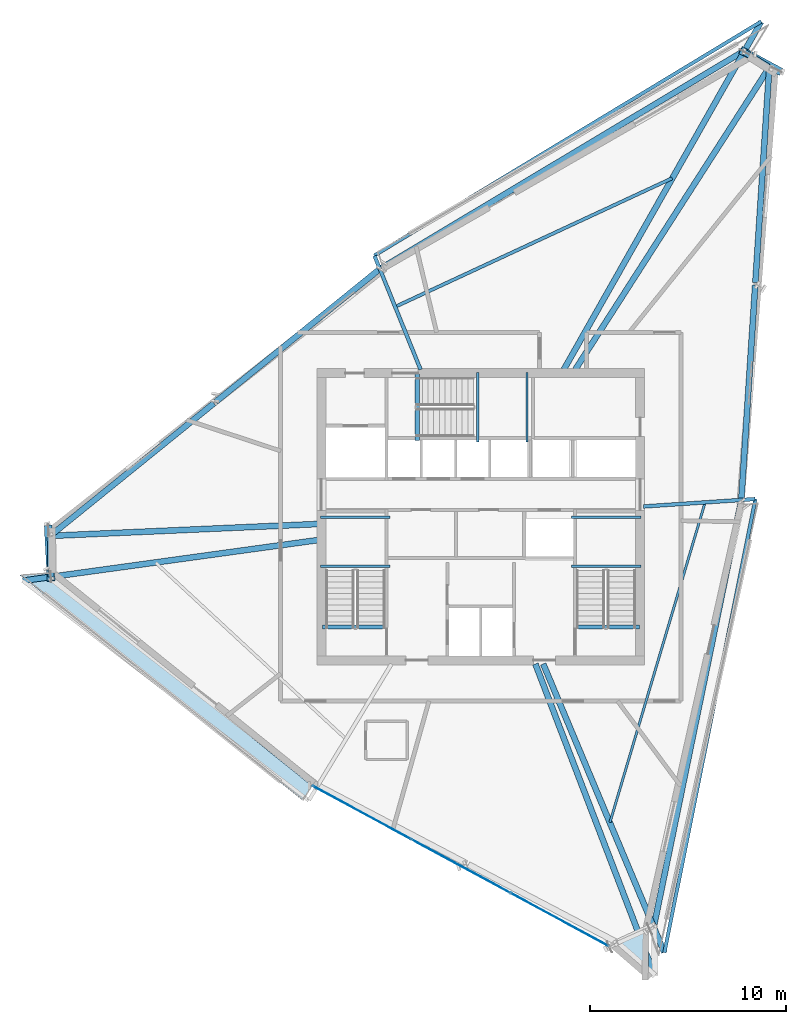
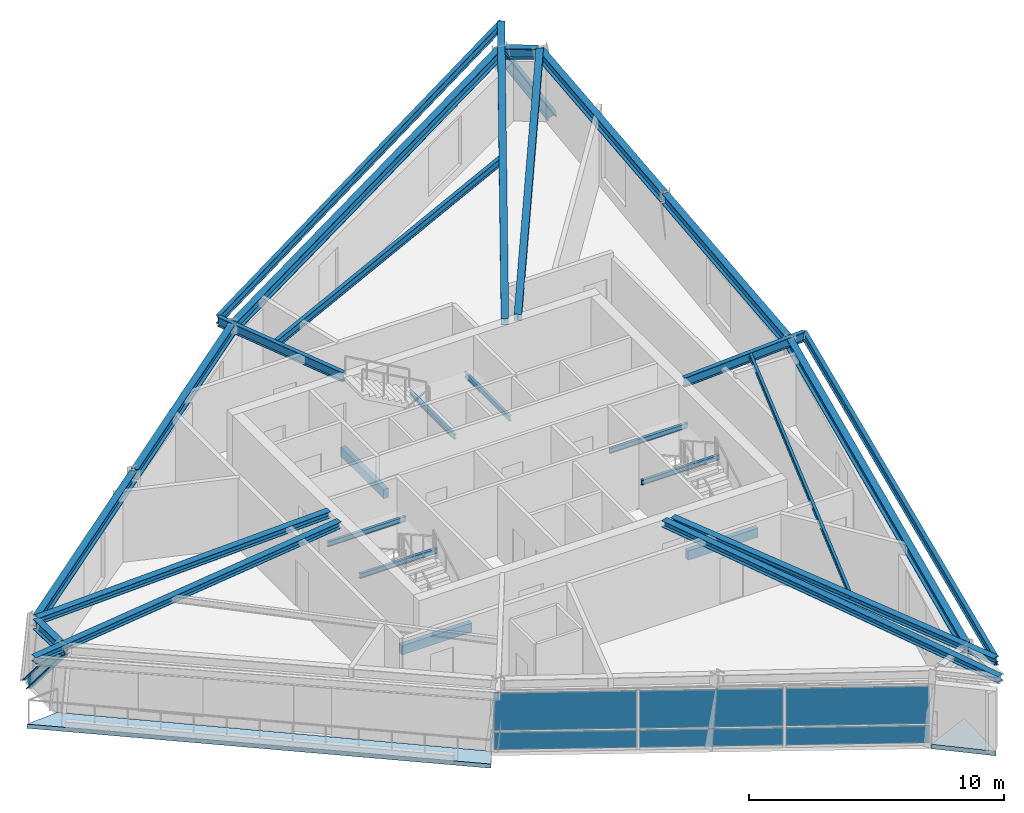
# One storey, part 6 of 15: 29 beams, 6 plates, 2 members, 2 slabs, 1 element without a shape of its own.
"""IFC4 building model written with IfcOpenShell, lengths in metres."""

from ifc_helpers import new_model, si_unit, direction, frame, origin, origin_2d, place, context, subcontext, project, spatial, polyline, rectangle, i_section, outline, extrude, source, transform, mapped, material, layer, layer_set, material_profile, profile_set, type_object, element, aggregate, save


model = new_model("IFC4")

# Units and contexts
model_context = context("Model", 3, precision=1e-05, world=origin(), true_north=direction((0.0, 1.0)))
body_context = subcontext(model_context, "Body", "Model", "MODEL_VIEW")
ifc_project = project(units=[si_unit("LENGTHUNIT", "METRE"), si_unit("AREAUNIT", "SQUARE_METRE"), si_unit("VOLUMEUNIT", "CUBIC_METRE"), si_unit("PLANEANGLEUNIT", "RADIAN"), si_unit("MASSUNIT", "GRAM", prefix="KILO")], contexts=[model_context])

# Site, building, storey
site_placement = place(None, origin())
site = spatial("IfcSite", under=ifc_project, at=site_placement, CompositionType="ELEMENT")
building_placement = place(site_placement, origin())
building = spatial("IfcBuilding", under=site, at=building_placement, Name="Olszyna Solenne Hotel", CompositionType="ELEMENT")
storey_placement = place(building_placement, frame((0.0, 0.0, 270.5)))
storey = spatial("IfcBuildingStorey", under=building, at=storey_placement, Name="L72", CompositionType="ELEMENT", Elevation=270.5)

# Beams
ifc_material_1 = material(Name="Steel S355J2", Category="steel")
ifc_material_profile_1 = material_profile(ifc_material_1, i_section(OverallWidth=0.300048828125, OverallDepth=0.5, WebThickness=0.014404296875, FlangeThickness=0.028076171875, at=origin_2d()), Name="HEB 500", Category="load-bearing")
ifc_profile_set_1 = profile_set([ifc_material_profile_1], Name="Steel S355J2")
beam_type_1 = type_object("IfcBeamType", Name="BM-S3", PredefinedType="BEAM", material=ifc_profile_set_1)
shared_shape_1 = source(origin(), body_context, "Body", "SweptSolid", [
    extrude(i_section(OverallWidth=0.300048828125, OverallDepth=0.5, WebThickness=0.014404296875, FlangeThickness=0.028076171875, at=origin_2d()), origin(), (0.0, 0.0, 1.0), 1.43896484375),
])
beam_1_placement = place(storey_placement, frame((52.659912109375, 49.544921875, 3.1298828125), z_axis=(-0.854060926803, 0.520172984024, 0.0), x_axis=(-0.520172984024, -0.854060926803, 0.0)))
element("IfcBeam", 1, at=beam_1_placement, inside=storey, type_object=beam_type_1, Name="Perimeter spandrel beam BM-S3 B-L72-2111", PredefinedType="BEAM", context=body_context, shape_type="MappedRepresentation", body=[
    mapped(shared_shape_1, transform((0.0, 0.0, 0.0), x_axis=(1.0, 0.0, 0.0), y_axis=(0.0, 1.0, 0.0), z_axis=(0.0, 0.0, 1.0), scale=1.0)),
])
shared_shape_2 = source(origin(), body_context, "Body", "SweptSolid", [
    extrude(i_section(OverallWidth=0.300048828125, OverallDepth=0.5, WebThickness=0.014404296875, FlangeThickness=0.028076171875, at=origin_2d()), origin(), (0.0, 0.0, 1.0), 21.490478515625),
])
beam_2_placement = place(storey_placement, frame((51.328125, 50.293701171875, 3.1298828125), z_axis=(-0.857946672507, -0.513738753779, 0.0), x_axis=(0.513738753779, -0.857946672507, 0.0)))
element("IfcBeam", 2, at=beam_2_placement, inside=storey, type_object=beam_type_1, Name="Perimeter spandrel beam BM-S3 B-L72-2112", PredefinedType="BEAM", context=body_context, shape_type="MappedRepresentation", body=[
    mapped(shared_shape_2, transform((0.0, 0.0, 0.0), x_axis=(1.0, 0.0, 0.0), y_axis=(0.0, 1.0, 0.0), z_axis=(0.0, 0.0, 1.0), scale=1.0)),
])
shared_shape_3 = source(origin(), body_context, "Body", "SweptSolid", [
    extrude(i_section(OverallWidth=0.300048828125, OverallDepth=0.5, WebThickness=0.014404296875, FlangeThickness=0.028076171875, at=origin_2d()), origin(), (0.0, 0.0, 1.0), 10.68505859375),
])
beam_3_placement = place(storey_placement, frame((32.792236328125, 39.1845703125, 3.1298828125), z_axis=(-0.777219861771, -0.629229120805, 0.0), x_axis=(0.629229120805, -0.777219861771, 0.0)))
element("IfcBeam", 3, at=beam_3_placement, inside=storey, type_object=beam_type_1, Name="Perimeter spandrel beam BM-S3 B-L72-2113", PredefinedType="BEAM", context=body_context, shape_type="MappedRepresentation", body=[
    mapped(shared_shape_3, transform((0.0, 0.0, 0.0), x_axis=(1.0, 0.0, 0.0), y_axis=(0.0, 1.0, 0.0), z_axis=(0.0, 0.0, 1.0), scale=1.0)),
])
shared_shape_4 = source(origin(), body_context, "Body", "SweptSolid", [
    extrude(i_section(OverallWidth=0.300048828125, OverallDepth=0.5, WebThickness=0.014404296875, FlangeThickness=0.028076171875, at=origin_2d()), origin(), (0.0, 0.0, 1.0), 10.685302734375),
])
beam_4_placement = place(storey_placement, frame((24.394287109375, 32.385498046875, 3.1298828125), z_axis=(-0.777228907982, -0.629217946818, 0.0), x_axis=(0.629217946818, -0.777228907982, 0.0)))
element("IfcBeam", 4, at=beam_4_placement, inside=storey, type_object=beam_type_1, Name="Perimeter spandrel beam BM-S3 B-L72-2114", PredefinedType="BEAM", context=body_context, shape_type="MappedRepresentation", body=[
    mapped(shared_shape_4, transform((0.0, 0.0, 0.0), x_axis=(1.0, 0.0, 0.0), y_axis=(0.0, 1.0, 0.0), z_axis=(0.0, 0.0, 1.0), scale=1.0)),
])
shared_shape_5 = source(origin(), body_context, "Body", "SweptSolid", [
    extrude(i_section(OverallWidth=0.300048828125, OverallDepth=0.5, WebThickness=0.014404296875, FlangeThickness=0.028076171875, at=origin_2d()), origin(), (0.0, 0.0, 1.0), 2.040771484375),
])
beam_5_placement = place(storey_placement, frame((16.0439453125, 25.564208984375, 3.1298828125), z_axis=(0.019261712413, -0.999814476008, 0.0), x_axis=(0.999814476008, 0.019261712413, 0.0)))
element("IfcBeam", 5, at=beam_5_placement, inside=storey, type_object=beam_type_1, Name="Perimeter spandrel beam BM-S3 B-L72-2115", PredefinedType="BEAM", context=body_context, shape_type="MappedRepresentation", body=[
    mapped(shared_shape_5, transform((0.0, 0.0, 0.0), x_axis=(1.0, 0.0, 0.0), y_axis=(0.0, 1.0, 0.0), z_axis=(0.0, 0.0, 1.0), scale=1.0)),
])
shared_shape_6 = source(origin(), body_context, "Body", "SweptSolid", [
    extrude(i_section(OverallWidth=0.300048828125, OverallDepth=0.5, WebThickness=0.014404296875, FlangeThickness=0.028076171875, at=origin_2d()), origin(), (0.0, 0.0, 1.0), 21.9990234375),
])
beam_6_placement = place(storey_placement, frame((46.847900390625, 5.832275390625, 3.1298828125), z_axis=(0.201037259591, 0.979583595338, 0.0), x_axis=(-0.979583595338, 0.201037259591, 0.0)))
element("IfcBeam", 6, at=beam_6_placement, inside=storey, type_object=beam_type_1, Name="Perimeter spandrel beam BM-S3 B-L72-2120", PredefinedType="BEAM", context=body_context, shape_type="MappedRepresentation", body=[
    mapped(shared_shape_6, transform((0.0, 0.0, 0.0), x_axis=(1.0, 0.0, 0.0), y_axis=(0.0, 1.0, 0.0), z_axis=(0.0, 0.0, 1.0), scale=1.0)),
])
shared_shape_7 = source(origin(), body_context, "Body", "SweptSolid", [
    extrude(i_section(OverallWidth=0.300048828125, OverallDepth=0.5, WebThickness=0.014404296875, FlangeThickness=0.028076171875, at=origin_2d()), origin(), (0.0, 0.0, 1.0), 10.939453125),
])
for number, where, z_axis, x_axis, name in (
    (7, (51.286376953125, 27.500732421875, 3.1298828125), (0.064587321629, 0.997912059194, 0.0), (-0.997912059194, 0.064587321629, 0.0), "Perimeter spandrel beam BM-S3 B-L72-2121"),
    (8, (52.000732421875, 38.537109375, 3.1298828125), (0.064587321629, 0.997912059194, 0.0), (-0.997912059194, 0.064587321629, 0.0), "Perimeter spandrel beam BM-S3 B-L72-2122"),
):
    element("IfcBeam", number, at=place(storey_placement, frame(where, z_axis=z_axis, x_axis=x_axis)), inside=storey, type_object=beam_type_1, Name=name, PredefinedType="BEAM", context=body_context, shape_type="MappedRepresentation", body=[
        mapped(shared_shape_7, transform((0.0, 0.0, 0.0), x_axis=(1.0, 0.0, 0.0), y_axis=(0.0, 1.0, 0.0), z_axis=(0.0, 0.0, 1.0), scale=1.0)),
    ])
ifc_material_profile_2 = material_profile(ifc_material_1, i_section(OverallWidth=0.300048828125, OverallDepth=0.31005859375, WebThickness=0.009033203125, FlangeThickness=0.015380859375, at=origin_2d()), Name="HEA 320", Category="load-bearing")
ifc_profile_set_2 = profile_set([ifc_material_profile_2], Name="Steel S355J2")
beam_type_2 = type_object("IfcBeamType", Name="BM-G3", PredefinedType="BEAM", material=ifc_profile_set_2)
shared_shape_8 = source(origin(), body_context, "Body", "SweptSolid", [
    extrude(i_section(OverallWidth=0.300048828125, OverallDepth=0.31005859375, WebThickness=0.009033203125, FlangeThickness=0.015380859375, at=origin_2d()), origin(), (0.0, 0.0, 1.0), 18.24755859375),
])
beam_7_placement = place(storey_placement, frame((52.6787109375, 49.463134765625, 3.22509765625), z_axis=(-0.540260478494, -0.841497840388, 0.0), x_axis=(0.841497840388, -0.540260478494, 0.0)))
element("IfcBeam", 9, at=beam_7_placement, inside=storey, type_object=beam_type_2, Name="Radial floor girder BM-G3 B-L72-2123", PredefinedType="BEAM", context=body_context, shape_type="MappedRepresentation", body=[
    mapped(shared_shape_8, transform((0.0, 0.0, 0.0), x_axis=(1.0, 0.0, 0.0), y_axis=(0.0, 1.0, 0.0), z_axis=(0.0, 0.0, 1.0), scale=1.0)),
])
shared_shape_9 = source(origin(), body_context, "Body", "SweptSolid", [
    extrude(i_section(OverallWidth=0.300048828125, OverallDepth=0.31005859375, WebThickness=0.009033203125, FlangeThickness=0.015380859375, at=origin_2d()), origin(), (0.0, 0.0, 1.0), 20.379638671875),
])
beam_8_placement = place(storey_placement, frame((52.2890625, 51.83251953125, 3.22509765625), z_axis=(-0.49341694453, -0.869792917223, 0.0), x_axis=(0.869792917223, -0.49341694453, 0.0)))
element("IfcBeam", 10, at=beam_8_placement, inside=storey, type_object=beam_type_2, Name="Radial floor girder BM-G3 B-L72-2124", PredefinedType="BEAM", context=body_context, shape_type="MappedRepresentation", body=[
    mapped(shared_shape_9, transform((0.0, 0.0, 0.0), x_axis=(1.0, 0.0, 0.0), y_axis=(0.0, 1.0, 0.0), z_axis=(0.0, 0.0, 1.0), scale=1.0)),
])
ifc_material_profile_3 = material_profile(ifc_material_1, i_section(OverallWidth=0.18994140625, OverallDepth=0.449951171875, WebThickness=0.009521484375, FlangeThickness=0.0146484375, at=origin_2d()), Name="IPE 450", Category="load-bearing")
ifc_profile_set_3 = profile_set([ifc_material_profile_3], Name="Steel S355J2")
beam_type_3 = type_object("IfcBeamType", Name="BM-F4", PredefinedType="BEAM", material=ifc_profile_set_3)
shared_shape_10 = source(origin(), body_context, "Body", "SweptSolid", [
    extrude(i_section(OverallWidth=0.18994140625, OverallDepth=0.449951171875, WebThickness=0.009521484375, FlangeThickness=0.0146484375, at=origin_2d()), origin(), (0.0, 0.0, 1.0), 6.256591796875),
])
beam_9_placement = place(storey_placement, frame((32.5830078125, 39.902587890625, 3.155029296875), z_axis=(0.37543064081, -0.926850491687, 0.0), x_axis=(0.926850491687, 0.37543064081, 0.0)))
element("IfcBeam", 11, at=beam_9_placement, inside=storey, type_object=beam_type_3, Name="Radial floor girder BM-F4 B-L72-2125", PredefinedType="BEAM", context=body_context, shape_type="MappedRepresentation", body=[
    mapped(shared_shape_10, transform((0.0, 0.0, 0.0), x_axis=(1.0, 0.0, 0.0), y_axis=(0.0, 1.0, 0.0), z_axis=(0.0, 0.0, 1.0), scale=1.0)),
])
shared_shape_11 = source(origin(), body_context, "Body", "SweptSolid", [
    extrude(i_section(OverallWidth=0.300048828125, OverallDepth=0.31005859375, WebThickness=0.009033203125, FlangeThickness=0.015380859375, at=origin_2d()), origin(), (0.0, 0.0, 1.0), 13.610595703125),
])
beam_10_placement = place(storey_placement, frame((16.102783203125, 25.626953125, 3.22509765625), z_axis=(0.999014036308, 0.044395441876, 0.0), x_axis=(-0.044395441876, 0.999014036308, 0.0)))
element("IfcBeam", 12, at=beam_10_placement, inside=storey, type_object=beam_type_2, Name="Radial floor girder BM-G3 B-L72-2126", PredefinedType="BEAM", context=body_context, shape_type="MappedRepresentation", body=[
    mapped(shared_shape_11, transform((0.0, 0.0, 0.0), x_axis=(1.0, 0.0, 0.0), y_axis=(0.0, 1.0, 0.0), z_axis=(0.0, 0.0, 1.0), scale=1.0)),
])
shared_shape_12 = source(origin(), body_context, "Body", "SweptSolid", [
    extrude(i_section(OverallWidth=0.300048828125, OverallDepth=0.31005859375, WebThickness=0.009033203125, FlangeThickness=0.015380859375, at=origin_2d()), origin(), (0.0, 0.0, 1.0), 15.18359375),
])
beam_11_placement = place(storey_placement, frame((14.658203125, 23.33837890625, 3.22509765625), z_axis=(0.99062938285, 0.13657754513, 0.0), x_axis=(-0.13657754513, 0.99062938285, 0.0)))
element("IfcBeam", 13, at=beam_11_placement, inside=storey, type_object=beam_type_2, Name="Radial floor girder BM-G3 B-L72-2127", PredefinedType="BEAM", context=body_context, shape_type="MappedRepresentation", body=[
    mapped(shared_shape_12, transform((0.0, 0.0, 0.0), x_axis=(1.0, 0.0, 0.0), y_axis=(0.0, 1.0, 0.0), z_axis=(0.0, 0.0, 1.0), scale=1.0)),
])
shared_shape_13 = source(origin(), body_context, "Body", "SweptSolid", [
    extrude(i_section(OverallWidth=0.300048828125, OverallDepth=0.31005859375, WebThickness=0.009033203125, FlangeThickness=0.015380859375, at=origin_2d()), origin(), (0.0, 0.0, 1.0), 17.000732421875),
])
beam_12_placement = place(storey_placement, frame((46.869384765625, 3.222412109375, 3.22509765625), z_axis=(-0.357922238825, 0.933751396762, 0.0), x_axis=(-0.933751396762, -0.357922238825, 0.0)))
element("IfcBeam", 14, at=beam_12_placement, inside=storey, type_object=beam_type_2, Name="Radial floor girder BM-G3 B-L72-2129", PredefinedType="BEAM", context=body_context, shape_type="MappedRepresentation", body=[
    mapped(shared_shape_13, transform((0.0, 0.0, 0.0), x_axis=(1.0, 0.0, 0.0), y_axis=(0.0, 1.0, 0.0), z_axis=(0.0, 0.0, 1.0), scale=1.0)),
])
shared_shape_14 = source(origin(), body_context, "Body", "SweptSolid", [
    extrude(i_section(OverallWidth=0.300048828125, OverallDepth=0.31005859375, WebThickness=0.009033203125, FlangeThickness=0.015380859375, at=origin_2d()), origin(), (0.0, 0.0, 1.0), 15.944091796875),
])
beam_13_placement = place(storey_placement, frame((47.354736328125, 4.39453125, 3.22509765625), z_axis=(-0.387048427339, 0.922059387943, 0.0), x_axis=(-0.922059387943, -0.387048427339, 0.0)))
element("IfcBeam", 15, at=beam_13_placement, inside=storey, type_object=beam_type_2, Name="Radial floor girder BM-G3 B-L72-2130", PredefinedType="BEAM", context=body_context, shape_type="MappedRepresentation", body=[
    mapped(shared_shape_14, transform((0.0, 0.0, 0.0), x_axis=(1.0, 0.0, 0.0), y_axis=(0.0, 1.0, 0.0), z_axis=(0.0, 0.0, 1.0), scale=1.0)),
])
shared_shape_15 = source(origin(), body_context, "Body", "SweptSolid", [
    extrude(i_section(OverallWidth=0.18994140625, OverallDepth=0.449951171875, WebThickness=0.009521484375, FlangeThickness=0.0146484375, at=origin_2d()), origin(), (0.0, 0.0, 1.0), 5.697998046875),
])
beam_14_placement = place(storey_placement, frame((51.985595703125, 27.50341796875, 3.155029296875), z_axis=(-0.99779803084, -0.066325633448, 0.0), x_axis=(0.066325633448, -0.99779803084, 0.0)))
element("IfcBeam", 16, at=beam_14_placement, inside=storey, type_object=beam_type_3, Name="Radial floor girder BM-F4 B-L72-2131", PredefinedType="BEAM", context=body_context, shape_type="MappedRepresentation", body=[
    mapped(shared_shape_15, transform((0.0, 0.0, 0.0), x_axis=(1.0, 0.0, 0.0), y_axis=(0.0, 1.0, 0.0), z_axis=(0.0, 0.0, 1.0), scale=1.0)),
])
ifc_material_profile_4 = material_profile(ifc_material_1, i_section(OverallWidth=0.169921875, OverallDepth=0.360107421875, WebThickness=0.008056640625, FlangeThickness=0.0126953125, at=origin_2d()), Name="IPE 360", Category="load-bearing")
ifc_profile_set_4 = profile_set([ifc_material_profile_4], Name="Steel S355J2")
beam_type_4 = type_object("IfcBeamType", Name="JS-01", PredefinedType="JOIST", material=ifc_profile_set_4)
shared_shape_16 = source(origin(), body_context, "Body", "SweptSolid", [
    extrude(i_section(OverallWidth=0.169921875, OverallDepth=0.360107421875, WebThickness=0.008056640625, FlangeThickness=0.0126953125, at=origin_2d()), origin(), (0.0, 0.0, 1.0), 15.542724609375),
])
beam_15_placement = place(storey_placement, frame((47.751220703125, 43.85693359375, 3.199951171875), z_axis=(-0.907004468035, -0.421120998009, 0.0), x_axis=(0.421120998009, -0.907004468035, 0.0)))
element("IfcBeam", 17, at=beam_15_placement, inside=storey, type_object=beam_type_4, Name="Secondary composite floor joist JS-01 B-L72-2134", PredefinedType="JOIST", context=body_context, shape_type="MappedRepresentation", body=[
    mapped(shared_shape_16, transform((0.0, 0.0, 0.0), x_axis=(1.0, 0.0, 0.0), y_axis=(0.0, 1.0, 0.0), z_axis=(0.0, 0.0, 1.0), scale=1.0)),
])
ifc_material_profile_5 = material_profile(ifc_material_1, i_section(OverallWidth=0.1201171875, OverallDepth=0.239990234375, WebThickness=0.006103515625, FlangeThickness=0.009765625, at=origin_2d()), Name="IPE 240", Category="load-bearing")
ifc_profile_set_5 = profile_set([ifc_material_profile_5], Name="Steel S355J2")
beam_type_5 = type_object("IfcBeamType", Name="JS-03", PredefinedType="JOIST", material=ifc_profile_set_5)
shared_shape_17 = source(origin(), body_context, "Body", "SweptSolid", [
    extrude(i_section(OverallWidth=0.1201171875, OverallDepth=0.239990234375, WebThickness=0.006103515625, FlangeThickness=0.009765625, at=origin_2d()), origin(), (0.0, 0.0, 1.0), 17.00048828125),
])
beam_16_placement = place(storey_placement, frame((44.587646484375, 11.019287109375, 3.260009765625), z_axis=(0.284974190775, 0.958535190065, 0.0), x_axis=(-0.958535190065, 0.284974190775, 0.0)))
element("IfcBeam", 18, at=beam_16_placement, inside=storey, type_object=beam_type_5, Name="Secondary composite floor joist JS-03 B-L72-2136", PredefinedType="JOIST", context=body_context, shape_type="MappedRepresentation", body=[
    mapped(shared_shape_17, transform((0.0, 0.0, 0.0), x_axis=(1.0, 0.0, 0.0), y_axis=(0.0, 1.0, 0.0), z_axis=(0.0, 0.0, 1.0), scale=1.0)),
])
ifc_material_profile_6 = material_profile(ifc_material_1, i_section(OverallWidth=0.179931640625, OverallDepth=0.39990234375, WebThickness=0.008544921875, FlangeThickness=0.013427734375, at=origin_2d()), Name="IPE 400", Category="load-bearing")
ifc_profile_set_6 = profile_set([ifc_material_profile_6], Name="Steel S355J2")
beam_type_6 = type_object("IfcBeamType", Name="BM-F5", PredefinedType="BEAM", material=ifc_profile_set_6)
shared_shape_18 = source(origin(), body_context, "Body", "SweptSolid", [
    extrude(i_section(OverallWidth=0.179931640625, OverallDepth=0.39990234375, WebThickness=0.008544921875, FlangeThickness=0.013427734375, at=origin_2d()), origin(), (0.0, 0.0, 1.0), 23.050537109375),
])
beam_17_placement = place(storey_placement, frame((52.299072265625, 51.849853515625, 3.179931640625), z_axis=(-0.855673629997, -0.517515834471, 0.0), x_axis=(0.517515834471, -0.855673629997, 0.0)))
element("IfcBeam", 19, at=beam_17_placement, inside=storey, type_object=beam_type_6, Name="Loggia outer edge beam BM-F5 B-L72-2137", PredefinedType="BEAM", context=body_context, shape_type="MappedRepresentation", body=[
    mapped(shared_shape_18, transform((0.0, 0.0, 0.0), x_axis=(1.0, 0.0, 0.0), y_axis=(0.0, 1.0, 0.0), z_axis=(0.0, 0.0, 1.0), scale=1.0)),
])
shared_shape_19 = source(origin(), body_context, "Body", "SweptSolid", [
    extrude(i_section(OverallWidth=0.179931640625, OverallDepth=0.39990234375, WebThickness=0.008544921875, FlangeThickness=0.013427734375, at=origin_2d()), origin(), (0.0, 0.0, 1.0), 23.590087890625),
])
beam_18_placement = place(storey_placement, frame((47.362548828125, 4.376220703125, 3.179931640625), z_axis=(0.196822621667, 0.980439113663, 0.0), x_axis=(-0.980439113663, 0.196822621667, 0.0)))
element("IfcBeam", 20, at=beam_18_placement, inside=storey, type_object=beam_type_6, Name="Loggia outer edge beam BM-F5 B-L72-2139", PredefinedType="BEAM", context=body_context, shape_type="MappedRepresentation", body=[
    mapped(shared_shape_19, transform((0.0, 0.0, 0.0), x_axis=(1.0, 0.0, 0.0), y_axis=(0.0, 1.0, 0.0), z_axis=(0.0, 0.0, 1.0), scale=1.0)),
])

# Members
ifc_material_2 = material(Name="Steel S460M", Category="steel")
ifc_material_profile_7 = material_profile(ifc_material_2, i_section(OverallWidth=0.40087890625, OverallDepth=0.39892578125, WebThickness=0.02197265625, FlangeThickness=0.034423828125, at=origin_2d()), Name="HD 400x314", Category="load-bearing")
ifc_profile_set_7 = profile_set([ifc_material_profile_7], Name="Steel S460M")
member_type = type_object("IfcMemberType", Name="BR-T3", PredefinedType="BRACE", material=ifc_profile_set_7)
shared_shape_20 = source(origin(), body_context, "Body", "SweptSolid", [
    extrude(i_section(OverallWidth=0.40087890625, OverallDepth=0.39892578125, WebThickness=0.02197265625, FlangeThickness=0.034423828125, at=origin_2d()), origin(), (0.0, 0.0, 1.0), 3.7060546875),
])
member_1_placement = place(storey_placement, frame((53.17041015625, 49.35009765625, 0.010009765625), z_axis=(-0.483188771366, 0.262970630578, 0.835089850662), x_axis=(-0.47802970932, -0.8783436668, 0.0)))
element("IfcMember", 21, at=member_1_placement, inside=storey, type_object=member_type, Name="Perimeter braced-tube diagonal BR-T3 BR-L72-1", PredefinedType="BRACE", context=body_context, shape_type="MappedRepresentation", body=[
    mapped(shared_shape_20, transform((0.0, 0.0, 0.0), x_axis=(1.0, 0.0, 0.0), y_axis=(0.0, 1.0, 0.0), z_axis=(0.0, 0.0, 1.0), scale=1.0)),
])
shared_shape_21 = source(origin(), body_context, "Body", "SweptSolid", [
    extrude(i_section(OverallWidth=0.40087890625, OverallDepth=0.39892578125, WebThickness=0.02197265625, FlangeThickness=0.034423828125, at=origin_2d()), origin(), (0.0, 0.0, 1.0), 4.019287109375),
])
member_2_placement = place(storey_placement, frame((15.9482421875, 26.0244140625, 0.010009765625), z_axis=(0.033895095664, -0.637082013123, 0.77005040812), x_axis=(0.998587682815, 0.053128520882, 0.0)))
element("IfcMember", 22, at=member_2_placement, inside=storey, type_object=member_type, Name="Perimeter braced-tube diagonal BR-T3 BR-L72-2", PredefinedType="BRACE", context=body_context, shape_type="MappedRepresentation", body=[
    mapped(shared_shape_21, transform((0.0, 0.0, 0.0), x_axis=(1.0, 0.0, 0.0), y_axis=(0.0, 1.0, 0.0), z_axis=(0.0, 0.0, 1.0), scale=1.0)),
])

# Beams
shared_shape_22 = source(origin(), body_context, "Body", "SweptSolid", [
    extrude(i_section(OverallWidth=0.1201171875, OverallDepth=0.239990234375, WebThickness=0.006103515625, FlangeThickness=0.009765625, at=origin_2d()), origin(), (0.0, 0.0, 1.0), 3.539794921875),
])
for number, where, z_axis, x_axis, name in (
    (23, (33.3798828125, 24.070068359375, 1.47509765625), (-1.0, 0.0, 0.0), (0.0, -1.0, 0.0), "Stair landing support beam JS-03 SLB-ST1-0149"),
    (24, (33.3798828125, 26.580078125, 1.47509765625), (-1.0, 0.0, 0.0), (0.0, -1.0, 0.0), "Stair landing support beam JS-03 SLB-ST1-0150"),
    (25, (46.159912109375, 24.070068359375, 1.47509765625), (-1.0, 0.0, 0.0), (0.0, -1.0, 0.0), "Stair landing support beam JS-03 SLB-ST2-0389"),
    (26, (46.159912109375, 26.580078125, 1.47509765625), (-1.0, 0.0, 0.0), (0.0, -1.0, 0.0), "Stair landing support beam JS-03 SLB-ST2-0390"),
):
    element("IfcBeam", number, at=place(storey_placement, frame(where, z_axis=z_axis, x_axis=x_axis)), inside=storey, type_object=beam_type_5, Name=name, PredefinedType="JOIST", context=body_context, shape_type="MappedRepresentation", body=[
        mapped(shared_shape_22, transform((0.0, 0.0, 0.0), x_axis=(1.0, 0.0, 0.0), y_axis=(0.0, 1.0, 0.0), z_axis=(0.0, 0.0, 1.0), scale=1.0)),
    ])
ifc_material_3 = material(Name="Concrete C50/60", Category="concrete")
ifc_material_profile_8 = material_profile(ifc_material_3, rectangle(XDim=0.219970703125, YDim=0.43994140625, at=origin_2d()), Name="RC 220x440", Category="load-bearing")
ifc_profile_set_8 = profile_set([ifc_material_profile_8], Name="Concrete C50/60")
beam_type_7 = type_object("IfcBeamType", Name="BM-ST1", PredefinedType="BEAM", material=ifc_profile_set_8)
shared_shape_23 = source(origin(), body_context, "Body", "SweptSolid", [
    extrude(rectangle(XDim=0.219970703125, YDim=0.43994140625, at=origin_2d()), origin(), (0.0, 0.0, 1.0), 3.18017578125),
])
for number, where, z_axis, x_axis, name in (
    (27, (33.10009765625, 20.97998046875, -0.205078125), (-1.0, 0.0, 0.0), (0.0, -1.0, 0.0), "Concrete stair trimmer beam BM-ST1 SHB-ST1-0234"),
    (28, (46.080078125, 20.97998046875, -0.205078125), (-1.0, 0.0, 0.0), (0.0, -1.0, 0.0), "Concrete stair trimmer beam BM-ST1 SHB-ST2-0474"),
):
    element("IfcBeam", number, at=place(storey_placement, frame(where, z_axis=z_axis, x_axis=x_axis)), inside=storey, type_object=beam_type_7, Name=name, PredefinedType="BEAM", context=body_context, shape_type="MappedRepresentation", body=[
        mapped(shared_shape_23, transform((0.0, 0.0, 0.0), x_axis=(1.0, 0.0, 0.0), y_axis=(0.0, 1.0, 0.0), z_axis=(0.0, 0.0, 1.0), scale=1.0)),
    ])
shared_shape_24 = source(origin(), body_context, "Body", "SweptSolid", [
    extrude(i_section(OverallWidth=0.1201171875, OverallDepth=0.239990234375, WebThickness=0.006103515625, FlangeThickness=0.009765625, at=origin_2d()), origin(), (0.0, 0.0, 1.0), 3.5400390625),
])
for number, where, z_axis, x_axis, name in (
    (29, (37.85009765625, 30.419921875, 1.47509765625), (0.0, 1.0, 0.0), (-1.0, 0.0, 0.0), "Stair landing support beam JS-03 SLB-ST3-0629"),
    (30, (40.360107421875, 30.419921875, 1.47509765625), (0.0, 1.0, 0.0), (-1.0, 0.0, 0.0), "Stair landing support beam JS-03 SLB-ST3-0630"),
):
    element("IfcBeam", number, at=place(storey_placement, frame(where, z_axis=z_axis, x_axis=x_axis)), inside=storey, type_object=beam_type_5, Name=name, PredefinedType="JOIST", context=body_context, shape_type="MappedRepresentation", body=[
        mapped(shared_shape_24, transform((0.0, 0.0, 0.0), x_axis=(1.0, 0.0, 0.0), y_axis=(0.0, 1.0, 0.0), z_axis=(0.0, 0.0, 1.0), scale=1.0)),
    ])
shared_shape_25 = source(origin(), body_context, "Body", "SweptSolid", [
    extrude(rectangle(XDim=0.219970703125, YDim=0.43994140625, at=origin_2d()), origin(), (0.0, 0.0, 1.0), 3.3798828125),
])
beam_19_placement = place(storey_placement, frame((34.760009765625, 30.5, -0.205078125), z_axis=(0.0, 1.0, 0.0), x_axis=(-1.0, 0.0, 0.0)))
element("IfcBeam", 31, at=beam_19_placement, inside=storey, type_object=beam_type_7, Name="Concrete stair trimmer beam BM-ST1 SHB-ST3-0712", PredefinedType="BEAM", context=body_context, shape_type="MappedRepresentation", body=[
    mapped(shared_shape_25, transform((0.0, 0.0, 0.0), x_axis=(1.0, 0.0, 0.0), y_axis=(0.0, 1.0, 0.0), z_axis=(0.0, 0.0, 1.0), scale=1.0)),
])

# Slabs
ifc_material_4 = material(Name="Precast concrete C45/55", Category="concrete")
ifc_layer_1 = layer(ifc_material_4, 0.199951171875, Name="Precast concrete C45/55")
ifc_layer_set_1 = layer_set([ifc_layer_1], Name="Precast concrete C45/55")
slab_type_1 = type_object("IfcSlabType", Name="SL-LOG200", PredefinedType="FLOOR", material=ifc_layer_set_1)
slab_1_placement = place(storey_placement, frame((0.0, 0.0, -0.199951171875)))
element("IfcSlab", 32, at=slab_1_placement, inside=storey, type_object=slab_type_1, Name="Exterior loggia balcony slab SL-L72-LG2", PredefinedType="FLOOR", context=body_context, shape_type="SweptSolid", body=[
    extrude(outline(polyline([(29.382080078125, 12.88330078125), (29.381591796875, 12.883544921875), (29.380615234375, 12.884521484375), (15.947021484375, 23.7158203125), (15.94580078125, 23.716796875), (15.94482421875, 23.7177734375), (15.94384765625, 23.718994140625), (15.943115234375, 23.72021484375), (15.9423828125, 23.7216796875), (15.94189453125, 23.722900390625), (15.941650390625, 23.724365234375), (15.94140625, 23.725830078125), (15.94140625, 23.726318359375), (14.50830078125, 23.6220703125), (28.918212890625, 12.140625), (29.382080078125, 12.88330078125)])), origin(), (0.0, 0.0, 1.0), 0.199951171875),
])
ifc_layer_2 = layer(ifc_material_3, 0.219970703125, Name="Concrete C50/60")
ifc_layer_set_2 = layer_set([ifc_layer_2], Name="Concrete C50/60")
slab_type_2 = type_object("IfcSlabType", Name="SL-TW225", PredefinedType="FLOOR", material=ifc_layer_set_2)
slab_2_placement = place(storey_placement, frame((0.0, 0.0, -0.219970703125)))
element("IfcSlab", 33, at=slab_2_placement, inside=storey, type_object=slab_type_2, Name="Faceted glass-prism floor slab SL-L72-PR", PredefinedType="FLOOR", context=body_context, shape_type="SweptSolid", body=[
    extrude(outline(polyline([(46.589111328125, 5.569091796875), (44.5751953125, 4.676513671875), (46.5302734375, 2.9833984375), (46.589111328125, 5.569091796875)])), origin(), (0.0, 0.0, 1.0), 0.219970703125),
])

# Curtain wall, plates
ifc_material_5 = material(Name="Anodised bronze aluminium", Category="aluminium")
curtain_wall_type = type_object("IfcCurtainWallType", Name="CW-SYS-4", PredefinedType="NOTDEFINED", material=ifc_material_5)
curtain_wall_placement = place(storey_placement, origin())
curtain_wall = element("IfcCurtainWall", 34, at=curtain_wall_placement, inside=storey, type_object=curtain_wall_type, Name="Unitised curtain wall CW-SYS-4 CW-L72-01", PredefinedType="NOTDEFINED")
ifc_material_6 = material(Name="Terracotta cladding", Category="masonry")
plate_type_1 = type_object("IfcPlateType", Name="PN-SP1", PredefinedType="CURTAIN_PANEL", material=ifc_material_6)
shared_shape_26 = source(origin(), body_context, "Body", "SweptSolid", [
    extrude(rectangle(XDim=5.654541015625, YDim=0.035888671875, at=origin_2d()), origin(), (0.0, 0.0, 1.0), 0.8525390625),
])
plate_1_placement = place(storey_placement, frame((31.93359375, 11.51953125, 0.06494140625), z_axis=(0.0, 0.0, 1.0), x_axis=(0.879497362605, -0.475903760408, 0.0)))
plate_1 = element("IfcPlate", 35, at=plate_1_placement, type_object=plate_type_1, Name="Curtain-wall panel PN-SP1 CP-L72-01-01", PredefinedType="CURTAIN_PANEL", context=body_context, shape_type="MappedRepresentation", body=[
    mapped(shared_shape_26, transform((0.0, 0.0, 0.0), x_axis=(1.0, 0.0, 0.0), y_axis=(0.0, 1.0, 0.0), z_axis=(0.0, 0.0, 1.0), scale=1.0)),
])
plate_2_placement = place(storey_placement, frame((42.02294921875, 6.060302734375, 0.06494140625), z_axis=(0.0, 0.0, 1.0), x_axis=(0.879497362605, -0.475903760408, 0.0)))
plate_2 = element("IfcPlate", 36, at=plate_2_placement, type_object=plate_type_1, Name="Curtain-wall panel PN-SP1 CP-L72-01-05", PredefinedType="CURTAIN_PANEL", context=body_context, shape_type="MappedRepresentation", body=[
    mapped(shared_shape_26, transform((0.0, 0.0, 0.0), x_axis=(1.0, 0.0, 0.0), y_axis=(0.0, 1.0, 0.0), z_axis=(0.0, 0.0, 1.0), scale=1.0)),
])
ifc_material_7 = material(Name="Low-E triple glazing", Category="glass")
plate_type_2 = type_object("IfcPlateType", Name="PN-GL1", PredefinedType="CURTAIN_PANEL", material=ifc_material_7)
shared_shape_27 = source(origin(), body_context, "Body", "SweptSolid", [
    extrude(rectangle(XDim=5.654541015625, YDim=0.035888671875, at=origin_2d()), origin(), (0.0, 0.0, 1.0), 1.824462890625),
])
plate_3_placement = place(storey_placement, frame((31.93359375, 11.51953125, 0.982421875), z_axis=(0.0, 0.0, 1.0), x_axis=(0.879497362605, -0.475903760408, 0.0)))
plate_3 = element("IfcPlate", 37, at=plate_3_placement, type_object=plate_type_2, Name="Curtain-wall panel PN-GL1 CP-L72-01-02", PredefinedType="CURTAIN_PANEL", context=body_context, shape_type="MappedRepresentation", body=[
    mapped(shared_shape_27, transform((0.0, 0.0, 0.0), x_axis=(1.0, 0.0, 0.0), y_axis=(0.0, 1.0, 0.0), z_axis=(0.0, 0.0, 1.0), scale=1.0)),
])
plate_4_placement = place(storey_placement, frame((42.02294921875, 6.060302734375, 0.982421875), z_axis=(0.0, 0.0, 1.0), x_axis=(0.879497362605, -0.475903760408, 0.0)))
plate_4 = element("IfcPlate", 38, at=plate_4_placement, type_object=plate_type_2, Name="Curtain-wall panel PN-GL1 CP-L72-01-06", PredefinedType="CURTAIN_PANEL", context=body_context, shape_type="MappedRepresentation", body=[
    mapped(shared_shape_27, transform((0.0, 0.0, 0.0), x_axis=(1.0, 0.0, 0.0), y_axis=(0.0, 1.0, 0.0), z_axis=(0.0, 0.0, 1.0), scale=1.0)),
])
shared_shape_28 = source(origin(), body_context, "Body", "SweptSolid", [
    extrude(rectangle(XDim=5.68701171875, YDim=0.035888671875, at=origin_2d()), origin(), (0.0, 0.0, 1.0), 0.8525390625),
])
plate_5_placement = place(storey_placement, frame((36.978271484375, 8.7900390625, 0.06494140625), z_axis=(0.0, 0.0, 1.0), x_axis=(0.879497362605, -0.475903760408, 0.0)))
plate_5 = element("IfcPlate", 39, at=plate_5_placement, type_object=plate_type_1, Name="Curtain-wall panel PN-SP1 CP-L72-01-03", PredefinedType="CURTAIN_PANEL", context=body_context, shape_type="MappedRepresentation", body=[
    mapped(shared_shape_28, transform((0.0, 0.0, 0.0), x_axis=(1.0, 0.0, 0.0), y_axis=(0.0, 1.0, 0.0), z_axis=(0.0, 0.0, 1.0), scale=1.0)),
])
shared_shape_29 = source(origin(), body_context, "Body", "SweptSolid", [
    extrude(rectangle(XDim=5.68701171875, YDim=0.035888671875, at=origin_2d()), origin(), (0.0, 0.0, 1.0), 1.824462890625),
])
plate_6_placement = place(storey_placement, frame((36.978271484375, 8.7900390625, 0.982421875), z_axis=(0.0, 0.0, 1.0), x_axis=(0.879497362605, -0.475903760408, 0.0)))
plate_6 = element("IfcPlate", 40, at=plate_6_placement, type_object=plate_type_2, Name="Curtain-wall panel PN-GL1 CP-L72-01-04", PredefinedType="CURTAIN_PANEL", context=body_context, shape_type="MappedRepresentation", body=[
    mapped(shared_shape_29, transform((0.0, 0.0, 0.0), x_axis=(1.0, 0.0, 0.0), y_axis=(0.0, 1.0, 0.0), z_axis=(0.0, 0.0, 1.0), scale=1.0)),
])
aggregate(curtain_wall, [plate_1, plate_3, plate_5, plate_6, plate_2, plate_4])

save(model, "model.ifc")
